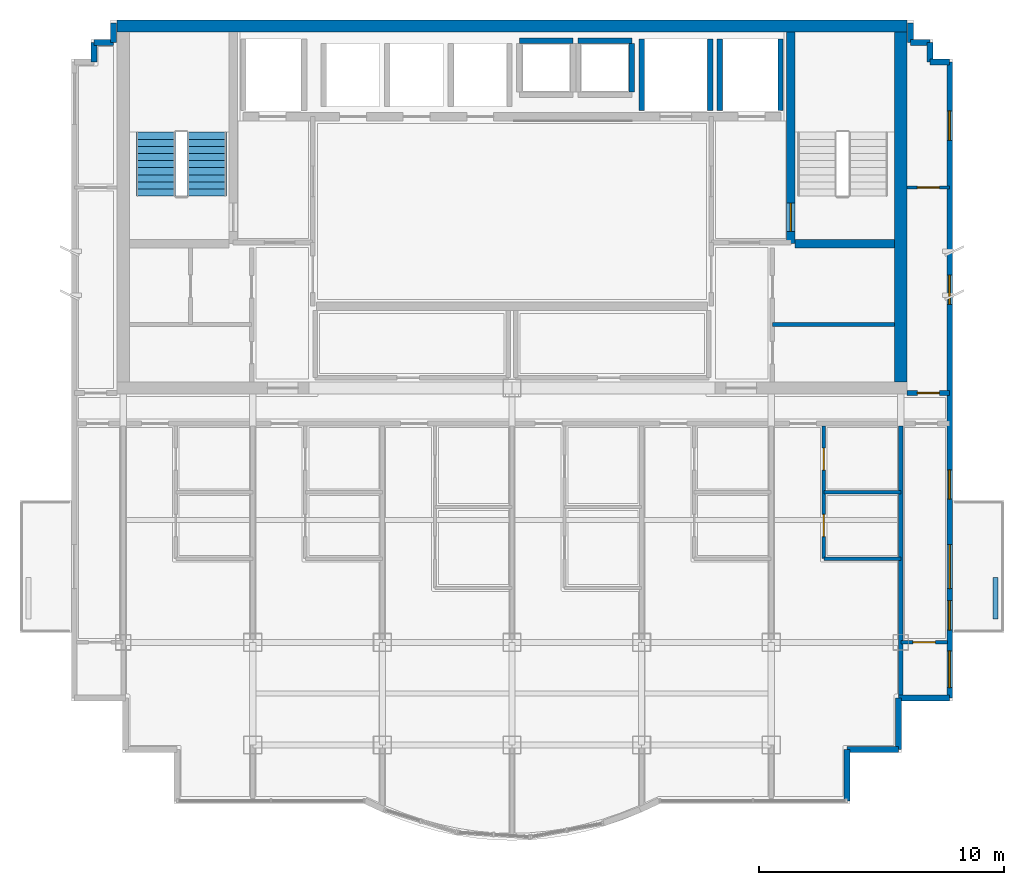
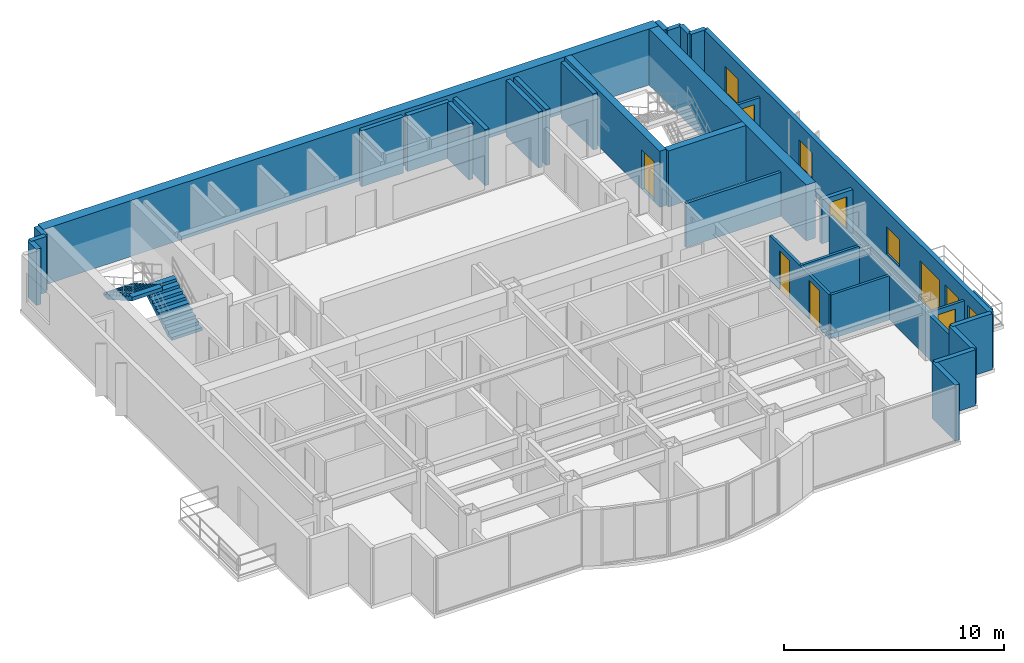
# One storey, part 6 of 9: 32 walls, 7 doors, 5 windows, 2 stair flights, 12 openings, 1 element without a shape of its own.
"""IFC4 building model written with IfcOpenShell, lengths in metres."""

import ifcopenshell
import ifcopenshell.guid

model = None  # the IFC model being written
_history = None  # IfcOwnerHistory: only IFC2X3 demands one
_inside = {}  # id of a spatial element -> (the spatial element, [elements in it])
_under = {}  # id of a project, library or spatial element -> (it, [spatial elements below it])
_declared = {}  # id of a project -> (the project, [libraries it declares])
_typed = {}  # id of a type object -> (the type object, [elements of that type])
_made_of = {}  # id of a material, layer set ... -> (it, [elements and type objects made of it])


def new_model(schema):
    """Start an empty IFC model of exactly this schema.

    Asked for "IFC4X3", IfcOpenShell would pick the latest addendum, in which some entities
    have other attributes; the version numbers below select the first issue.
    IFC2X3 requires an IfcOwnerHistory on every rooted entity: one is made here for all.
    """
    global model, _history
    if schema == "IFC4X3":
        model = ifcopenshell.file(schema_version=(4, 3, 0, 0))
    else:
        model = ifcopenshell.file(schema=schema)
    _inside.clear()
    _under.clear()
    _declared.clear()
    _typed.clear()
    _made_of.clear()
    _history = None
    if model.schema == "IFC2X3":
        org = make("IfcOrganization", Name="unknown")
        user = make(
            "IfcPersonAndOrganization",
            ThePerson=make("IfcPerson", FamilyName="unknown"),
            TheOrganization=org,
        )
        app = make(
            "IfcApplication",
            ApplicationDeveloper=org,
            Version="unknown",
            ApplicationFullName="unknown",
            ApplicationIdentifier="unknown",
        )
        _history = make(
            "IfcOwnerHistory",
            OwningUser=user,
            OwningApplication=app,
            ChangeAction="ADDED",
            CreationDate=0,
        )
    return model


def make(cls, **values):
    """One entity of the class cls with the attributes given. An attribute that is None is left unset."""
    return model.create_entity(
        cls, **{name: value for name, value in values.items() if value is not None}
    )


def rooted(cls, **values):
    """An entity with a GlobalId (a new one), such as an element, a storey or a relation."""
    return make(cls, GlobalId=ifcopenshell.guid.new(), OwnerHistory=_history, **values)


def si_unit(unit_type, name, prefix=None):
    """IfcSIUnit, for example si_unit("LENGTHUNIT", "METRE", prefix="MILLI")."""
    return make("IfcSIUnit", UnitType=unit_type, Prefix=prefix, Name=name)


def assignment(units):
    """IfcUnitAssignment: the units of a project."""
    return None if units is None else make("IfcUnitAssignment", Units=units)


def point(xyz):
    """IfcCartesianPoint."""
    return None if xyz is None else make("IfcCartesianPoint", Coordinates=xyz)


def direction(xyz):
    """IfcDirection."""
    return None if xyz is None else make("IfcDirection", DirectionRatios=xyz)


def frame(location, z_axis=None, x_axis=None):
    """IfcAxis2Placement3D, a coordinate frame: its origin and axes. An axis left out is left unset."""
    return make(
        "IfcAxis2Placement3D",
        Location=point(location),
        Axis=direction(z_axis),
        RefDirection=direction(x_axis),
    )


def frame_2d(location, x_axis=None):
    """IfcAxis2Placement2D, a coordinate frame in the plane: its origin and x axis."""
    return make(
        "IfcAxis2Placement2D", Location=point(location), RefDirection=direction(x_axis)
    )


def origin():
    """The frame at (0, 0, 0) with its axes left unset."""
    return frame((0.0, 0.0, 0.0))


def place(relative_to, where):
    """IfcLocalPlacement: puts the frame where relative to a parent placement (None: the world)."""
    return make(
        "IfcLocalPlacement", PlacementRelTo=relative_to, RelativePlacement=where
    )


def context(
    kind, dimensions, precision=None, world=None, true_north=None, identifier=None
):
    """IfcGeometricRepresentationContext, for example the 3D "Model" context."""
    return make(
        "IfcGeometricRepresentationContext",
        ContextIdentifier=identifier,
        ContextType=kind,
        CoordinateSpaceDimension=dimensions,
        Precision=precision,
        WorldCoordinateSystem=world,
        TrueNorth=true_north,
    )


def subcontext(parent, identifier, kind, view, scale=None):
    """IfcGeometricRepresentationSubContext, for example "Body" below "Model"."""
    return make(
        "IfcGeometricRepresentationSubContext",
        ContextIdentifier=identifier,
        ContextType=kind,
        ParentContext=parent,
        TargetScale=scale,
        TargetView=view,
    )


def project(units=None, contexts=None):
    """IfcProject with its units and contexts."""
    return rooted(
        "IfcProject",
        Name="project",
        RepresentationContexts=contexts,
        UnitsInContext=assignment(units),
    )


def spatial(cls, under=None, at=None, **own):
    """A site, building, storey or space (cls), placed at a placement, below another one or the project."""
    s = rooted(cls, ObjectPlacement=at, **own)
    if under is not None:
        _under.setdefault(under.id(), (under, []))[1].append(s)
    return s


def polyline(points):
    """IfcPolyline through the points."""
    return make("IfcPolyline", Points=[point(p) for p in points])


def profile(cls, at=None, kind="AREA", **sizes):
    """A parametric profile (cls). Its sizes go by their IFC names, for example OverallWidth=200.0."""
    return make(cls, ProfileType=kind, Position=at, **sizes)


def rectangle(**sizes):
    """IfcRectangleProfileDef."""
    return profile("IfcRectangleProfileDef", **sizes)


def outline(outer, holes=None, kind="AREA"):
    """IfcArbitraryClosedProfileDef: a profile drawn as a closed curve; with holes, ...WithVoids."""
    if holes is None:
        return make("IfcArbitraryClosedProfileDef", ProfileType=kind, OuterCurve=outer)
    return make(
        "IfcArbitraryProfileDefWithVoids",
        ProfileType=kind,
        OuterCurve=outer,
        InnerCurves=holes,
    )


def extrude(swept, where, along, depth):
    """IfcExtrudedAreaSolid: the profile swept, set in the frame where, extruded along a direction by depth."""
    return make(
        "IfcExtrudedAreaSolid",
        SweptArea=swept,
        Position=where,
        ExtrudedDirection=direction(along),
        Depth=depth,
    )


def shape(context_of_items, identifier, shape_type, items):
    """IfcShapeRepresentation: the items that make up one representation, for example the "Body"."""
    return make(
        "IfcShapeRepresentation",
        ContextOfItems=context_of_items,
        RepresentationIdentifier=identifier,
        RepresentationType=shape_type,
        Items=items,
    )


def material(Name=None, Category=None):
    """IfcMaterial."""
    return make("IfcMaterial", Name=Name, Category=Category)


def layer(
    of_material, thickness, ventilated=None, Name=None, Category=None, Priority=None
):
    """IfcMaterialLayer: one layer of a wall or slab, of a material (None: an air gap)."""
    return make(
        "IfcMaterialLayer",
        Material=of_material,
        LayerThickness=thickness,
        IsVentilated=ventilated,
        Name=Name,
        Category=Category,
        Priority=Priority,
    )


def layer_set(layers, Name=None):
    """IfcMaterialLayerSet."""
    return make("IfcMaterialLayerSet", MaterialLayers=layers, LayerSetName=Name)


def made_of(thing, what):
    """Note that an element or type object is made of a material, layer set ...; save() writes the relation."""
    if what is not None:
        _made_of.setdefault(what.id(), (what, []))[1].append(thing)
    return thing


def type_object(cls, material=None, **own):
    """A type object (cls), such as IfcWallType, which elements share."""
    return made_of(rooted(cls, **own), material)


def element(
    cls,
    number,
    at=None,
    inside=None,
    cuts=None,
    type_object=None,
    material=None,
    context=None,
    identifier="Body",
    shape_type=None,
    held_by="IfcProductDefinitionShape",
    body=None,
    shapes=None,
    **own,
):
    """One element of the class cls, such as IfcWall. Its Tag is "e" and its number.

    at: its placement. inside: the storey or other place that contains it. cuts: it is an
    opening in that element (IfcRelVoidsElement). A single representation is given by context,
    identifier, shape_type and body (its items); several are given by shapes. held_by: the class
    of the entity that holds the representations. save() writes the other relations.
    """
    e = rooted(cls, Tag="e%d" % number, ObjectPlacement=at, **own)
    if body is not None:
        shapes = [shape(context, identifier, shape_type, body)]
    if shapes is not None:
        e.Representation = make(held_by, Representations=shapes)
    if inside is not None:
        _inside.setdefault(inside.id(), (inside, []))[1].append(e)
    if cuts is not None:
        rooted(
            "IfcRelVoidsElement", RelatingBuildingElement=cuts, RelatedOpeningElement=e
        )
    if type_object is not None:
        _typed.setdefault(type_object.id(), (type_object, []))[1].append(e)
    return made_of(e, material)


def fill(opening, filler):
    """IfcRelFillsElement: the door or window that sits in an opening."""
    return rooted(
        "IfcRelFillsElement",
        RelatingOpeningElement=opening,
        RelatedBuildingElement=filler,
    )


def aggregate(whole, parts):
    """IfcRelAggregates: a whole, such as a stair, and the parts it consists of."""
    return rooted("IfcRelAggregates", RelatingObject=whole, RelatedObjects=parts)


def save(model, path):
    """Write the relations noted so far, then the file.

    IfcRelAggregates (storeys below a building ...), IfcRelContainedInSpatialStructure (elements
    in a storey), IfcRelDefinesByType, IfcRelAssociatesMaterial and IfcRelDeclares: one each for
    every whole, place, type object, material and project.
    """
    for whole, parts in _under.values():
        aggregate(whole, parts)
    for where, things in _inside.values():
        rooted(
            "IfcRelContainedInSpatialStructure",
            RelatedElements=things,
            RelatingStructure=where,
        )
    for kind, things in _typed.values():
        rooted("IfcRelDefinesByType", RelatedObjects=things, RelatingType=kind)
    for what, things in _made_of.values():
        rooted("IfcRelAssociatesMaterial", RelatedObjects=things, RelatingMaterial=what)
    for by, libraries in _declared.values():
        rooted("IfcRelDeclares", RelatingContext=by, RelatedDefinitions=libraries)
    model.write(path)


model = new_model("IFC4")

# Units and contexts
model_context = context("Model", 3, precision=1e-05, world=origin(), true_north=direction((0.0, 1.0)))
body_context = subcontext(model_context, "Body", "Model", "MODEL_VIEW")
ifc_project = project(units=[si_unit("LENGTHUNIT", "METRE"), si_unit("AREAUNIT", "SQUARE_METRE"), si_unit("VOLUMEUNIT", "CUBIC_METRE"), si_unit("PLANEANGLEUNIT", "RADIAN"), si_unit("MASSUNIT", "GRAM", prefix="KILO")], contexts=[model_context])

# Site, building, storey
site_placement = place(None, origin())
site = spatial("IfcSite", under=ifc_project, at=site_placement, CompositionType="ELEMENT")
building_placement = place(site_placement, origin())
building = spatial("IfcBuilding", under=site, at=building_placement, Name="Qianlan Lanfeng Residences", CompositionType="ELEMENT")
storey_placement = place(building_placement, frame((0.0, 0.0, 233.0)))
storey = spatial("IfcBuildingStorey", under=building, at=storey_placement, Name="L64", CompositionType="ELEMENT", Elevation=233.0)

# Wall, opening, door
ifc_material_1 = material(Name="Concrete C49", Category="concrete")
ifc_layer_1 = layer(ifc_material_1, 0.35009765625)
ifc_layer_set_1 = layer_set([ifc_layer_1], Name="Concrete C49")
wall_type_1 = type_object("IfcWallType", Name="CW-RC-350", PredefinedType="SHEAR", material=ifc_layer_set_1)
wall_1_placement = place(storey_placement, frame((37.89990234375, 31.10009765625, 0.0), z_axis=(0.0, 0.0, 1.0), x_axis=(0.0, 1.0, 0.0)))
wall_1 = element("IfcWall", 1, at=wall_1_placement, inside=storey, type_object=wall_type_1, Name="L64 Core Shear Wall ST2W", PredefinedType="SHEAR", context=body_context, shape_type="SweptSolid", body=[
    extrude(rectangle(XDim=8.64990234375, YDim=0.35009765625, at=frame_2d((4.324951171875, 0.0))), origin(), (0.0, 0.0, 1.0), 3.110107421875),
])
opening_1_placement = place(wall_1_placement, frame((0.510009765625, 0.0, 0.0)))
opening_1 = element("IfcOpeningElement", 2, at=opening_1_placement, cuts=wall_1, Name="Opening L64-D08", PredefinedType="OPENING", context=body_context, shape_type="SweptSolid", body=[
    extrude(rectangle(XDim=1.14990234375, YDim=2.199951171875, at=frame_2d((0.574951171875, 1.10009765625))), frame((0.0, 0.18505859375, 0.0), z_axis=(0.0, -1.0, 0.0), x_axis=(1.0, 0.0, 0.0)), (0.0, 0.0, 1.0), 0.3701171875),
])
ifc_material_2 = material(Name="Painted Galvanised Steel Fire Door", Category="steel")
door_type_1 = type_object("IfcDoorType", Name="DT-ST1", OperationType="NOTDEFINED", PredefinedType="DOOR", material=ifc_material_2)
door_1_placement = place(opening_1_placement, origin())
door_1 = element("IfcDoor", 3, at=door_1_placement, inside=storey, type_object=door_type_1, Name="L64 Exit Stair ST-2 Door L64-D08 (DT-ST1)", OperationType="SINGLE_SWING_RIGHT", OverallHeight=2.199951171875, OverallWidth=1.14990234375, PredefinedType="DOOR", context=body_context, shape_type="SweptSolid", body=[
    extrude(rectangle(XDim=1.14990234375, YDim=2.199951171875, at=frame_2d((0.574951171875, 1.10009765625))), frame((0.0, 0.02490234375, 0.0), z_axis=(0.0, -1.0, 0.0), x_axis=(1.0, 0.0, 0.0)), (0.0, 0.0, 1.0), 0.050048828125),
])
fill(opening_1, door_1)

# Walls
wall_2_placement = place(storey_placement, frame((38.074951171875, 31.10009765625, 0.0), z_axis=(0.0, 0.0, 1.0), x_axis=(1.0, 0.0, 0.0)))
element("IfcWall", 4, at=wall_2_placement, inside=storey, type_object=wall_type_1, Name="L64 Core Shear Wall ST2S", PredefinedType="SHEAR", context=body_context, shape_type="SweptSolid", body=[
    extrude(rectangle(XDim=4.074951171875, YDim=0.35009765625, at=frame_2d((2.03759765625, 0.0))), origin(), (0.0, 0.0, 1.0), 3.110107421875),
])
ifc_material_3 = material(Name="Concrete C70", Category="concrete")
ifc_layer_2 = layer(ifc_material_3, 0.5)
ifc_layer_set_2 = layer_set([ifc_layer_2], Name="Concrete C70")
wall_type_2 = type_object("IfcWallType", Name="CW-RC-500", PredefinedType="SHEAR", material=ifc_layer_set_2)
wall_3_placement = place(storey_placement, frame((10.35009765625, 40.0, 0.0), z_axis=(0.0, 0.0, 1.0), x_axis=(1.0, 0.0, 0.0)))
element("IfcWall", 5, at=wall_3_placement, inside=storey, type_object=wall_type_2, Name="L64 Core Shear Wall N", PredefinedType="SHEAR", context=body_context, shape_type="SweptSolid", body=[
    extrude(rectangle(XDim=32.2998046875, YDim=0.5, at=frame_2d((16.14990234375, 0.0))), origin(), (0.0, 0.0, 1.0), 3.110107421875),
])
wall_4_placement = place(storey_placement, frame((42.39990234375, 25.449951171875, 0.0), z_axis=(0.0, 0.0, 1.0), x_axis=(0.0, 1.0, 0.0)))
element("IfcWall", 6, at=wall_4_placement, inside=storey, type_object=wall_type_2, Name="L64 Core Shear Wall E", PredefinedType="SHEAR", context=body_context, shape_type="SweptSolid", body=[
    extrude(rectangle(XDim=14.300048828125, YDim=0.5, at=frame_2d((7.14990234375, 0.0))), origin(), (0.0, 0.0, 1.0), 3.110107421875),
])
ifc_material_4 = material(Name="Concrete C42", Category="concrete")
ifc_layer_3 = layer(ifc_material_4, 0.239990234375)
ifc_layer_set_3 = layer_set([ifc_layer_3], Name="Concrete C42")
wall_type_3 = type_object("IfcWallType", Name="EW-240", PredefinedType="SOLIDWALL", material=ifc_layer_set_3)
wall_5_placement = place(storey_placement, frame((40.199951171875, 8.320068359375, 0.0), z_axis=(0.0, 0.0, 1.0), x_axis=(0.0, 1.0, 0.0)))
element("IfcWall", 7, at=wall_5_placement, inside=storey, type_object=wall_type_3, Name="L64 Exterior Facade Spandrel Wall 8", PredefinedType="SOLIDWALL", context=body_context, shape_type="SweptSolid", body=[
    extrude(rectangle(XDim=2.099853515625, YDim=0.239990234375, at=frame_2d((1.0498046875, 0.0))), origin(), (0.0, 0.0, 1.0), 3.110107421875),
])
for number, where, z_axis, x_axis, name in (
    (8, (40.199951171875, 10.419921875, 0.0), (0.0, 0.0, 1.0), (1.0, 0.0, 0.0), "L64 Exterior Facade Spandrel Wall 9"),
    (9, (42.300048828125, 10.419921875, 0.0), (0.0, 0.0, 1.0), (0.0, 1.0, 0.0), "L64 Exterior Facade Spandrel Wall 10"),
):
    element("IfcWall", number, at=place(storey_placement, frame(where, z_axis=z_axis, x_axis=x_axis)), inside=storey, type_object=wall_type_3, Name=name, PredefinedType="SOLIDWALL", context=body_context, shape_type="SweptSolid", body=[
        extrude(rectangle(XDim=2.10009765625, YDim=0.239990234375, at=frame_2d((1.050048828125, 0.0))), origin(), (0.0, 0.0, 1.0), 3.110107421875),
    ])
wall_6_placement = place(storey_placement, frame((42.300048828125, 12.52001953125, 0.0), z_axis=(0.0, 0.0, 1.0), x_axis=(1.0, 0.0, 0.0)))
element("IfcWall", 10, at=wall_6_placement, inside=storey, type_object=wall_type_3, Name="L64 Exterior Facade Spandrel Wall 11", PredefinedType="SOLIDWALL", context=body_context, shape_type="SweptSolid", body=[
    extrude(rectangle(XDim=2.099853515625, YDim=0.239990234375, at=frame_2d((1.0498046875, 0.0))), origin(), (0.0, 0.0, 1.0), 3.110107421875),
])

# Wall, openings, door, windows
wall_7_placement = place(storey_placement, frame((44.39990234375, 12.52001953125, 0.0), z_axis=(0.0, 0.0, 1.0), x_axis=(0.0, 1.0, 0.0)))
wall_7 = element("IfcWall", 11, at=wall_7_placement, inside=storey, type_object=wall_type_3, Name="L64 Terrace/Balcony Access Exterior Wall 12", PredefinedType="SOLIDWALL", context=body_context, shape_type="SweptSolid", body=[
    extrude(rectangle(XDim=26.010009765625, YDim=0.239990234375, at=frame_2d((13.0048828125, 0.0))), origin(), (0.0, 0.0, 1.0), 3.110107421875),
])
opening_2_placement = place(wall_7_placement, frame((4.47998046875, 0.0, 0.0)))
opening_2 = element("IfcOpeningElement", 12, at=opening_2_placement, cuts=wall_7, Name="Opening L64-D-EB-N", PredefinedType="OPENING", context=body_context, shape_type="SweptSolid", body=[
    extrude(rectangle(XDim=1.800048828125, YDim=2.199951171875, at=frame_2d((0.89990234375, 1.10009765625))), frame((0.0, 0.1298828125, 0.0), z_axis=(0.0, -1.0, 0.0), x_axis=(1.0, 0.0, 0.0)), (0.0, 0.0, 1.0), 0.260009765625),
])
opening_3_placement = place(wall_7_placement, frame((0.426025390625, 0.0, 0.75)))
opening_3 = element("IfcOpeningElement", 13, at=opening_3_placement, cuts=wall_7, Name="Opening W-02", PredefinedType="OPENING", context=body_context, shape_type="SweptSolid", body=[
    extrude(rectangle(XDim=1.5, YDim=1.60009765625, at=frame_2d((0.75, 0.800048828125))), frame((0.0, 0.1298828125, 0.0), z_axis=(0.0, -1.0, 0.0), x_axis=(1.0, 0.0, 0.0)), (0.0, 0.0, 1.0), 0.260009765625),
])
opening_4_placement = place(wall_7_placement, frame((2.783935546875, 0.0, 0.75)))
opening_4 = element("IfcOpeningElement", 14, at=opening_4_placement, cuts=wall_7, Name="Opening W-03", PredefinedType="OPENING", context=body_context, shape_type="SweptSolid", body=[
    extrude(rectangle(XDim=1.199951171875, YDim=1.5, at=frame_2d((0.60009765625, 0.75))), frame((0.0, 0.1298828125, 0.0), z_axis=(0.0, -1.0, 0.0), x_axis=(1.0, 0.0, 0.0)), (0.0, 0.0, 1.0), 0.260009765625),
])
opening_5_placement = place(wall_7_placement, frame((8.135009765625, 0.0, 0.75)))
opening_5 = element("IfcOpeningElement", 15, at=opening_5_placement, cuts=wall_7, Name="Opening W-03", PredefinedType="OPENING", context=body_context, shape_type="SweptSolid", body=[
    extrude(rectangle(XDim=1.199951171875, YDim=1.5, at=frame_2d((0.60009765625, 0.75))), frame((0.0, 0.1298828125, 0.0), z_axis=(0.0, -1.0, 0.0), x_axis=(1.0, 0.0, 0.0)), (0.0, 0.0, 1.0), 0.260009765625),
])
opening_6_placement = place(wall_7_placement, frame((16.095947265625, 0.0, 0.75)))
opening_6 = element("IfcOpeningElement", 16, at=opening_6_placement, cuts=wall_7, Name="Opening W-03", PredefinedType="OPENING", context=body_context, shape_type="SweptSolid", body=[
    extrude(rectangle(XDim=1.199951171875, YDim=1.5, at=frame_2d((0.60009765625, 0.75))), frame((0.0, 0.1298828125, 0.0), z_axis=(0.0, -1.0, 0.0), x_axis=(1.0, 0.0, 0.0)), (0.0, 0.0, 1.0), 0.260009765625),
])
opening_7_placement = place(wall_7_placement, frame((22.80908203125, 0.0, 0.75)))
opening_7 = element("IfcOpeningElement", 17, at=opening_7_placement, cuts=wall_7, Name="Opening W-03", PredefinedType="OPENING", context=body_context, shape_type="SweptSolid", body=[
    extrude(rectangle(XDim=1.199951171875, YDim=1.5, at=frame_2d((0.60009765625, 0.75))), frame((0.0, 0.1298828125, 0.0), z_axis=(0.0, -1.0, 0.0), x_axis=(1.0, 0.0, 0.0)), (0.0, 0.0, 1.0), 0.260009765625),
])
ifc_material_5 = material(Name="Anodised Bronze Aluminium Framed Glass", Category="aluminium")
door_type_2 = type_object("IfcDoorType", Name="DT-BAL1", OperationType="NOTDEFINED", PredefinedType="DOOR", material=ifc_material_5)
door_2_placement = place(opening_2_placement, frame((1.800048828125, 0.0, 0.0), z_axis=(0.0, 0.0, 1.0), x_axis=(-1.0, 0.0, 0.0)))
door_2 = element("IfcDoor", 18, at=door_2_placement, inside=storey, type_object=door_type_2, Name="L64 Exterior Access Door EB-N", OperationType="DOUBLE_DOOR_SLIDING", OverallHeight=2.199951171875, OverallWidth=1.800048828125, PredefinedType="DOOR", context=body_context, shape_type="SweptSolid", body=[
    extrude(rectangle(XDim=1.800048828125, YDim=2.199951171875, at=frame_2d((0.89990234375, 1.10009765625))), frame((0.0, 0.02490234375, 0.0), z_axis=(0.0, -1.0, 0.0), x_axis=(1.0, 0.0, 0.0)), (0.0, 0.0, 1.0), 0.050048828125),
])
fill(opening_2, door_2)
ifc_material_6 = material(Name="Anodised Bronze Aluminium Framed Double Glazing", Category="aluminium")
window_type_1 = type_object("IfcWindowType", Name="W-02", PartitioningType="SINGLE_PANEL", PredefinedType="WINDOW", material=ifc_material_6)
window_1_placement = place(opening_3_placement, origin())
window_1 = element("IfcWindow", 19, at=window_1_placement, inside=storey, type_object=window_type_1, Name="L64 Exterior Window W-06", OverallHeight=1.60009765625, OverallWidth=1.5, PartitioningType="SINGLE_PANEL", PredefinedType="WINDOW", context=body_context, shape_type="SweptSolid", body=[
    extrude(rectangle(XDim=1.5, YDim=1.60009765625, at=frame_2d((0.75, 0.800048828125))), frame((0.0, 0.030029296875, 0.0), z_axis=(0.0, -1.0, 0.0), x_axis=(1.0, 0.0, 0.0)), (0.0, 0.0, 1.0), 0.06005859375),
])
fill(opening_3, window_1)
window_type_2 = type_object("IfcWindowType", Name="W-03", PartitioningType="SINGLE_PANEL", PredefinedType="WINDOW", material=ifc_material_6)
window_2_placement = place(opening_4_placement, origin())
window_2 = element("IfcWindow", 20, at=window_2_placement, inside=storey, type_object=window_type_2, Name="L64 Facade Bay Window W-03", OverallHeight=1.5, OverallWidth=1.199951171875, PartitioningType="SINGLE_PANEL", PredefinedType="WINDOW", context=body_context, shape_type="SweptSolid", body=[
    extrude(rectangle(XDim=1.199951171875, YDim=1.5, at=frame_2d((0.60009765625, 0.75))), frame((0.0, 0.030029296875, 0.0), z_axis=(0.0, -1.0, 0.0), x_axis=(1.0, 0.0, 0.0)), (0.0, 0.0, 1.0), 0.06005859375),
])
fill(opening_4, window_2)
window_3_placement = place(opening_5_placement, origin())
window_3 = element("IfcWindow", 21, at=window_3_placement, inside=storey, type_object=window_type_2, Name="L64 Facade Bay Window W-03", OverallHeight=1.5, OverallWidth=1.199951171875, PartitioningType="SINGLE_PANEL", PredefinedType="WINDOW", context=body_context, shape_type="SweptSolid", body=[
    extrude(rectangle(XDim=1.199951171875, YDim=1.5, at=frame_2d((0.60009765625, 0.75))), frame((0.0, 0.030029296875, 0.0), z_axis=(0.0, -1.0, 0.0), x_axis=(1.0, 0.0, 0.0)), (0.0, 0.0, 1.0), 0.06005859375),
])
fill(opening_5, window_3)
window_4_placement = place(opening_6_placement, origin())
window_4 = element("IfcWindow", 22, at=window_4_placement, inside=storey, type_object=window_type_2, Name="L64 Facade Bay Window W-03", OverallHeight=1.5, OverallWidth=1.199951171875, PartitioningType="SINGLE_PANEL", PredefinedType="WINDOW", context=body_context, shape_type="SweptSolid", body=[
    extrude(rectangle(XDim=1.199951171875, YDim=1.5, at=frame_2d((0.60009765625, 0.75))), frame((0.0, 0.030029296875, 0.0), z_axis=(0.0, -1.0, 0.0), x_axis=(1.0, 0.0, 0.0)), (0.0, 0.0, 1.0), 0.06005859375),
])
fill(opening_6, window_4)
window_5_placement = place(opening_7_placement, origin())
window_5 = element("IfcWindow", 23, at=window_5_placement, inside=storey, type_object=window_type_2, Name="L64 Facade Bay Window W-03", OverallHeight=1.5, OverallWidth=1.199951171875, PartitioningType="SINGLE_PANEL", PredefinedType="WINDOW", context=body_context, shape_type="SweptSolid", body=[
    extrude(rectangle(XDim=1.199951171875, YDim=1.5, at=frame_2d((0.60009765625, 0.75))), frame((0.0, 0.030029296875, 0.0), z_axis=(0.0, -1.0, 0.0), x_axis=(1.0, 0.0, 0.0)), (0.0, 0.0, 1.0), 0.06005859375),
])
fill(opening_7, window_5)

# Walls
wall_8_placement = place(storey_placement, frame((44.39990234375, 38.530029296875, 0.0), z_axis=(0.0, 0.0, 1.0), x_axis=(-1.0, 0.0, 0.0)))
element("IfcWall", 24, at=wall_8_placement, inside=storey, type_object=wall_type_3, Name="L64 Exterior Facade Spandrel Wall 13", PredefinedType="SOLIDWALL", context=body_context, shape_type="SweptSolid", body=[
    extrude(rectangle(XDim=0.7998046875, YDim=0.239990234375, at=frame_2d((0.39990234375, 0.0))), origin(), (0.0, 0.0, 1.0), 3.110107421875),
])
for number, where, z_axis, x_axis, name in (
    (25, (43.60009765625, 38.530029296875, 0.0), (0.0, 0.0, 1.0), (0.0, 1.0, 0.0), "L64 Exterior Facade Spandrel Wall 14"),
    (26, (43.60009765625, 39.330078125, 0.0), (0.0, 0.0, 1.0), (-1.0, 0.0, 0.0), "L64 Exterior Facade Spandrel Wall 15"),
):
    element("IfcWall", number, at=place(storey_placement, frame(where, z_axis=z_axis, x_axis=x_axis)), inside=storey, type_object=wall_type_3, Name=name, PredefinedType="SOLIDWALL", context=body_context, shape_type="SweptSolid", body=[
        extrude(rectangle(XDim=0.800048828125, YDim=0.239990234375, at=frame_2d((0.39990234375, 0.0))), origin(), (0.0, 0.0, 1.0), 3.110107421875),
    ])
for number, where, z_axis, x_axis, name in (
    (27, (42.800048828125, 39.330078125, 0.0), (0.0, 0.0, 1.0), (0.0, 1.0, 0.0), "L64 Exterior Facade Spandrel Wall 16"),
    (28, (10.199951171875, 40.1298828125, 0.0), (0.0, 0.0, 1.0), (0.0, -1.0, 0.0), "L64 Exterior Facade Spandrel Wall 17"),
):
    element("IfcWall", number, at=place(storey_placement, frame(where, z_axis=z_axis, x_axis=x_axis)), inside=storey, type_object=wall_type_3, Name=name, PredefinedType="SOLIDWALL", context=body_context, shape_type="SweptSolid", body=[
        extrude(rectangle(XDim=0.7998046875, YDim=0.239990234375, at=frame_2d((0.39990234375, 0.0))), origin(), (0.0, 0.0, 1.0), 3.110107421875),
    ])
for number, where, z_axis, x_axis, name in (
    (29, (10.199951171875, 39.330078125, 0.0), (0.0, 0.0, 1.0), (-1.0, 0.0, 0.0), "L64 Exterior Facade Spandrel Wall 18"),
    (30, (9.39990234375, 39.330078125, 0.0), (0.0, 0.0, 1.0), (0.0, -1.0, 0.0), "L64 Exterior Facade Spandrel Wall 19"),
):
    element("IfcWall", number, at=place(storey_placement, frame(where, z_axis=z_axis, x_axis=x_axis)), inside=storey, type_object=wall_type_3, Name=name, PredefinedType="SOLIDWALL", context=body_context, shape_type="SweptSolid", body=[
        extrude(rectangle(XDim=0.800048828125, YDim=0.239990234375, at=frame_2d((0.39990234375, 0.0))), origin(), (0.0, 0.0, 1.0), 3.110107421875),
    ])
ifc_layer_4 = layer(ifc_material_4, 0.199951171875)
ifc_layer_set_4 = layer_set([ifc_layer_4], Name="Concrete C42")
wall_type_4 = type_object("IfcWallType", Name="PL-TREE-200", PredefinedType="PARAPET", material=ifc_layer_set_4)
wall_9_placement = place(storey_placement, frame((46.27001953125, 15.75, 0.0), z_axis=(0.0, 0.0, 1.0), x_axis=(0.0, 1.0, 0.0)))
element("IfcWall", 31, at=wall_9_placement, inside=storey, type_object=wall_type_4, Name="L64 East Tree Planter Curb EB-N", PredefinedType="PARAPET", context=body_context, shape_type="SweptSolid", body=[
    extrude(rectangle(XDim=1.699951171875, YDim=0.199951171875, at=frame_2d((0.85009765625, 0.0))), origin(), (0.0, 0.0, 1.0), 0.64990234375),
])

# Wall, openings, doors
ifc_material_7 = material(Name="Moisture-Resistant Gypsum Partition 135 mm")
ifc_layer_5 = layer(ifc_material_7, 0.135009765625)
ifc_layer_set_5 = layer_set([ifc_layer_5], Name="Moisture-Resistant Gypsum Partition 135 mm")
wall_type_5 = type_object("IfcWallType", Name="PW-135", PredefinedType="PARTITIONING", material=ifc_layer_set_5)
wall_10_placement = place(storey_placement, frame((39.25, 18.219970703125, 0.0), z_axis=(0.0, 0.0, 1.0), x_axis=(0.0, 1.0, 0.0)))
wall_10 = element("IfcWall", 32, at=wall_10_placement, inside=storey, type_object=wall_type_5, Name="L64 U06 Wet Stack Spine", PredefinedType="PARTITIONING", context=body_context, shape_type="SweptSolid", body=[
    extrude(rectangle(XDim=5.429931640625, YDim=0.135009765625, at=frame_2d((2.71484375, 0.0))), origin(), (0.0, 0.0, 1.0), 2.449951171875),
])
opening_8_placement = place(wall_10_placement, frame((0.89794921875, 0.0, 0.0)))
opening_8 = element("IfcOpeningElement", 33, at=opening_8_placement, cuts=wall_10, Name="Opening L64-D34", PredefinedType="OPENING", context=body_context, shape_type="SweptSolid", body=[
    extrude(rectangle(XDim=0.919921875, YDim=2.14990234375, at=frame_2d((0.4599609375, 1.074951171875))), frame((0.0, 0.07763671875, 0.0), z_axis=(0.0, -1.0, 0.0), x_axis=(1.0, 0.0, 0.0)), (0.0, 0.0, 1.0), 0.155029296875),
])
opening_9_placement = place(wall_10_placement, frame((3.6220703125, 0.0, 0.0)))
opening_9 = element("IfcOpeningElement", 34, at=opening_9_placement, cuts=wall_10, Name="Opening L64-D35", PredefinedType="OPENING", context=body_context, shape_type="SweptSolid", body=[
    extrude(rectangle(XDim=0.89990234375, YDim=2.14990234375, at=frame_2d((0.449951171875, 1.074951171875))), frame((0.0, 0.07763671875, 0.0), z_axis=(0.0, -1.0, 0.0), x_axis=(1.0, 0.0, 0.0)), (0.0, 0.0, 1.0), 0.155029296875),
])
ifc_material_8 = material(Name="Glazed Timber Kitchen/Study Door", Category="wood")
door_type_3 = type_object("IfcDoorType", Name="DT-INT", OperationType="NOTDEFINED", PredefinedType="DOOR", material=ifc_material_8)
door_3_placement = place(opening_8_placement, origin())
door_3 = element("IfcDoor", 35, at=door_3_placement, inside=storey, type_object=door_type_3, Name="L64 U06 Kitchen Door L64-D34 (DT-INT)", OperationType="SINGLE_SWING_RIGHT", OverallHeight=2.14990234375, OverallWidth=0.919921875, PredefinedType="DOOR", context=body_context, shape_type="SweptSolid", body=[
    extrude(rectangle(XDim=0.919921875, YDim=2.14990234375, at=frame_2d((0.4599609375, 1.074951171875))), frame((0.0, 0.02490234375, 0.0), z_axis=(0.0, -1.0, 0.0), x_axis=(1.0, 0.0, 0.0)), (0.0, 0.0, 1.0), 0.050048828125),
])
fill(opening_8, door_3)
ifc_material_9 = material(Name="Moisture-Resistant Timber Leaf", Category="wood")
door_type_4 = type_object("IfcDoorType", Name="DT-WC", OperationType="NOTDEFINED", PredefinedType="DOOR", material=ifc_material_9)
door_4_placement = place(opening_9_placement, origin())
door_4 = element("IfcDoor", 36, at=door_4_placement, inside=storey, type_object=door_type_4, Name="L64 U06 Bathroom Door L64-D35 (DT-WC)", OperationType="SINGLE_SWING_LEFT", OverallHeight=2.14990234375, OverallWidth=0.89990234375, PredefinedType="DOOR", context=body_context, shape_type="SweptSolid", body=[
    extrude(rectangle(XDim=0.89990234375, YDim=2.14990234375, at=frame_2d((0.449951171875, 1.074951171875))), frame((0.0, 0.02490234375, 0.0), z_axis=(0.0, -1.0, 0.0), x_axis=(1.0, 0.0, 0.0)), (0.0, 0.0, 1.0), 0.050048828125),
])
fill(opening_9, door_4)

# Walls
for number, where, z_axis, x_axis, name in (
    (37, (39.25, 18.219970703125, 0.0), (0.0, 0.0, 1.0), (1.0, 0.0, 0.0), "L64 U06 Kitchen South Wall"),
    (38, (39.25, 20.93505859375, 0.0), (0.0, 0.0, 1.0), (1.0, 0.0, 0.0), "L64 U06 Bathroom South Wall"),
):
    element("IfcWall", number, at=place(storey_placement, frame(where, z_axis=z_axis, x_axis=x_axis)), inside=storey, type_object=wall_type_5, Name=name, PredefinedType="PARTITIONING", context=body_context, shape_type="SweptSolid", body=[
        extrude(rectangle(XDim=3.14990234375, YDim=0.135009765625, at=frame_2d((1.574951171875, 0.0))), origin(), (0.0, 0.0, 1.0), 2.449951171875),
    ])

# Wall, opening, door
wall_11_placement = place(storey_placement, frame((42.39990234375, 14.800048828125, 0.0), z_axis=(0.0, 0.0, 1.0), x_axis=(1.0, 0.0, 0.0)))
wall_11 = element("IfcWall", 39, at=wall_11_placement, inside=storey, type_object=wall_type_5, Name="L64 SEP Mid Partition", PredefinedType="PARTITIONING", context=body_context, shape_type="SweptSolid", body=[
    extrude(rectangle(XDim=1.900146484375, YDim=0.135009765625, at=frame_2d((0.9501953125, 0.0))), origin(), (0.0, 0.0, 1.0), 2.449951171875),
])
opening_10_placement = place(wall_11_placement, frame((0.489990234375, 0.0, 0.0)))
opening_10 = element("IfcOpeningElement", 40, at=opening_10_placement, cuts=wall_11, Name="Opening L64-D38", PredefinedType="OPENING", context=body_context, shape_type="SweptSolid", body=[
    extrude(rectangle(XDim=0.919921875, YDim=2.14990234375, at=frame_2d((0.4599609375, 1.074951171875))), frame((0.0, 0.07763671875, 0.0), z_axis=(0.0, -1.0, 0.0), x_axis=(1.0, 0.0, 0.0)), (0.0, 0.0, 1.0), 0.155029296875),
])
door_5_placement = place(opening_10_placement, origin())
door_5 = element("IfcDoor", 41, at=door_5_placement, inside=storey, type_object=door_type_3, Name="L64 SEP Inner Door L64-D38 (DT-INT)", OperationType="SINGLE_SWING_RIGHT", OverallHeight=2.14990234375, OverallWidth=0.919921875, PredefinedType="DOOR", context=body_context, shape_type="SweptSolid", body=[
    extrude(rectangle(XDim=0.919921875, YDim=2.14990234375, at=frame_2d((0.4599609375, 1.074951171875))), frame((0.0, 0.02490234375, 0.0), z_axis=(0.0, -1.0, 0.0), x_axis=(1.0, 0.0, 0.0)), (0.0, 0.0, 1.0), 0.050048828125),
])
fill(opening_10, door_5)

wall_12_placement = place(storey_placement, frame((42.64990234375, 33.39990234375, 0.0), z_axis=(0.0, 0.0, 1.0), x_axis=(1.0, 0.0, 0.0)))
wall_12 = element("IfcWall", 42, at=wall_12_placement, inside=storey, type_object=wall_type_5, Name="L64 EW North Wing Wall", PredefinedType="PARTITIONING", context=body_context, shape_type="SweptSolid", body=[
    extrude(rectangle(XDim=1.75, YDim=0.135009765625, at=frame_2d((0.875, 0.0))), origin(), (0.0, 0.0, 1.0), 2.449951171875),
])
opening_11_placement = place(wall_12_placement, frame((0.425048828125, 0.0, 0.0)))
opening_11 = element("IfcOpeningElement", 43, at=opening_11_placement, cuts=wall_12, Name="Opening L64-D42", PredefinedType="OPENING", context=body_context, shape_type="SweptSolid", body=[
    extrude(rectangle(XDim=0.89990234375, YDim=2.14990234375, at=frame_2d((0.449951171875, 1.074951171875))), frame((0.0, 0.07763671875, 0.0), z_axis=(0.0, -1.0, 0.0), x_axis=(1.0, 0.0, 0.0)), (0.0, 0.0, 1.0), 0.155029296875),
])
door_6_placement = place(opening_11_placement, origin())
door_6 = element("IfcDoor", 44, at=door_6_placement, inside=storey, type_object=door_type_4, Name="L64 EW Inner Salon Door L64-D42 (DT-WC)", OperationType="SINGLE_SWING_RIGHT", OverallHeight=2.14990234375, OverallWidth=0.89990234375, PredefinedType="DOOR", context=body_context, shape_type="SweptSolid", body=[
    extrude(rectangle(XDim=0.89990234375, YDim=2.14990234375, at=frame_2d((0.449951171875, 1.074951171875))), frame((0.0, 0.02490234375, 0.0), z_axis=(0.0, -1.0, 0.0), x_axis=(1.0, 0.0, 0.0)), (0.0, 0.0, 1.0), 0.050048828125),
])
fill(opening_11, door_6)

# Walls
ifc_material_10 = material(Name="Acoustic Drywall Partition 150 mm")
ifc_layer_6 = layer(ifc_material_10, 0.14990234375)
ifc_layer_set_6 = layer_set([ifc_layer_6], Name="Acoustic Drywall Partition 150 mm")
wall_type_6 = type_object("IfcWallType", Name="PW-150", PredefinedType="PARTITIONING", material=ifc_layer_set_6)
wall_13_placement = place(storey_placement, frame((37.14990234375, 27.800048828125, 0.0), z_axis=(0.0, 0.0, 1.0), x_axis=(1.0, 0.0, 0.0)))
element("IfcWall", 45, at=wall_13_placement, inside=storey, type_object=wall_type_6, Name="L64 Core East H4", PredefinedType="PARTITIONING", context=body_context, shape_type="SweptSolid", body=[
    extrude(rectangle(XDim=5.0, YDim=0.14990234375, at=frame_2d((2.5, 0.0))), origin(), (0.0, 0.0, 1.0), 2.449951171875),
])
ifc_material_11 = material(Name="Double-Layer Acoustic Gypsum Stud Wall 180 mm")
ifc_layer_7 = layer(ifc_material_11, 0.179931640625)
ifc_layer_set_7 = layer_set([ifc_layer_7], Name="Double-Layer Acoustic Gypsum Stud Wall 180 mm")
wall_type_7 = type_object("IfcWallType", Name="PW-180", PredefinedType="PARTITIONING", material=ifc_layer_set_7)
wall_14_placement = place(storey_placement, frame((42.39990234375, 12.6201171875, 0.0), z_axis=(0.0, 0.0, 1.0), x_axis=(0.0, 1.0, 0.0)))
element("IfcWall", 46, at=wall_14_placement, inside=storey, type_object=wall_type_7, Name="L64 Wing Boundary Party Wall E0", PredefinedType="PARTITIONING", context=body_context, shape_type="SweptSolid", body=[
    extrude(rectangle(XDim=11.02978515625, YDim=0.179931640625, at=frame_2d((5.514892578125, 0.0))), origin(), (0.0, 0.0, 1.0), 2.449951171875),
])

# Wall, opening, door
ifc_material_12 = material(Name="Autoclaved Aerated Concrete Blockwork 200 mm", Category="masonry")
ifc_layer_8 = layer(ifc_material_12, 0.199951171875)
ifc_layer_set_8 = layer_set([ifc_layer_8], Name="Autoclaved Aerated Concrete Blockwork 200 mm")
wall_type_8 = type_object("IfcWallType", Name="PW-200", PredefinedType="PARTITIONING", material=ifc_layer_set_8)
wall_15_placement = place(storey_placement, frame((42.64990234375, 25.0, 0.0), z_axis=(0.0, 0.0, 1.0), x_axis=(1.0, 0.0, 0.0)))
wall_15 = element("IfcWall", 47, at=wall_15_placement, inside=storey, type_object=wall_type_8, Name="L64 Corridor NE Wall", PredefinedType="PARTITIONING", context=body_context, shape_type="SweptSolid", body=[
    extrude(rectangle(XDim=1.75, YDim=0.199951171875, at=frame_2d((0.875, 0.0))), origin(), (0.0, 0.0, 1.0), 2.449951171875),
])
opening_12_placement = place(wall_15_placement, frame((0.425048828125, 0.0, 0.0)))
opening_12 = element("IfcOpeningElement", 48, at=opening_12_placement, cuts=wall_15, Name="Opening L64-D43", PredefinedType="OPENING", context=body_context, shape_type="SweptSolid", body=[
    extrude(rectangle(XDim=0.89990234375, YDim=2.14990234375, at=frame_2d((0.449951171875, 1.074951171875))), frame((0.0, 0.10986328125, 0.0), z_axis=(0.0, -1.0, 0.0), x_axis=(1.0, 0.0, 0.0)), (0.0, 0.0, 1.0), 0.219970703125),
])
door_7_placement = place(opening_12_placement, frame((0.89990234375, 0.0, 0.0), z_axis=(0.0, 0.0, 1.0), x_axis=(-1.0, 0.0, 0.0)))
door_7 = element("IfcDoor", 49, at=door_7_placement, inside=storey, type_object=door_type_4, Name="L64 EW Amenity Salon Door L64-D43 (DT-WC)", OperationType="SINGLE_SWING_LEFT", OverallHeight=2.14990234375, OverallWidth=0.89990234375, PredefinedType="DOOR", context=body_context, shape_type="SweptSolid", body=[
    extrude(rectangle(XDim=0.89990234375, YDim=2.14990234375, at=frame_2d((0.449951171875, 1.074951171875))), frame((0.0, 0.02490234375, 0.0), z_axis=(0.0, -1.0, 0.0), x_axis=(1.0, 0.0, 0.0)), (0.0, 0.0, 1.0), 0.050048828125),
])
fill(opening_12, door_7)

# Walls
ifc_layer_9 = layer(ifc_material_1, 0.219970703125)
ifc_layer_set_9 = layer_set([ifc_layer_9], Name="Concrete C49")
wall_type_9 = type_object("IfcWallType", Name="SHW-220", PredefinedType="SOLIDWALL", material=ifc_layer_set_9)
for number, where, z_axis, x_axis, name in (
    (50, (35.0, 36.550048828125, 0.0), (0.0, 0.0, 1.0), (0.0, 1.0, 0.0), "L64 Lift FFL-2 Shaft Wall W"),
    (51, (37.47998046875, 36.550048828125, 0.0), (0.0, 0.0, 1.0), (0.0, 1.0, 0.0), "L64 Lift FFL-2 Shaft Wall E"),
    (52, (31.800048828125, 36.550048828125, 0.0), (0.0, 0.0, 1.0), (0.0, 1.0, 0.0), "L64 Lift SVL-1 Shaft Wall W"),
    (53, (34.60009765625, 36.550048828125, 0.0), (0.0, 0.0, 1.0), (0.0, 1.0, 0.0), "L64 Lift SVL-1 Shaft Wall E"),
):
    element("IfcWall", number, at=place(storey_placement, frame(where, z_axis=z_axis, x_axis=x_axis)), inside=storey, type_object=wall_type_9, Name=name, PredefinedType="SOLIDWALL", context=body_context, shape_type="SweptSolid", body=[
        extrude(rectangle(XDim=2.929931640625, YDim=0.219970703125, at=frame_2d((1.46484375, 0.0))), origin(), (0.0, 0.0, 1.0), 3.110107421875),
    ])
wall_16_placement = place(storey_placement, frame((26.800048828125, 39.39990234375, 0.0), z_axis=(0.0, 0.0, 1.0), x_axis=(1.0, 0.0, 0.0)))
element("IfcWall", 54, at=wall_16_placement, inside=storey, type_object=wall_type_9, Name="L64 MEP Riser MEP-R1 Shaft Wall N", PredefinedType="SOLIDWALL", context=body_context, shape_type="SweptSolid", body=[
    extrude(rectangle(XDim=2.199951171875, YDim=0.219970703125, at=frame_2d((1.10009765625, 0.0))), origin(), (0.0, 0.0, 1.0), 3.110107421875),
])
wall_17_placement = place(storey_placement, frame((31.39990234375, 37.31005859375, 0.0), z_axis=(0.0, 0.0, 1.0), x_axis=(0.0, 1.0, 0.0)))
element("IfcWall", 55, at=wall_17_placement, inside=storey, type_object=wall_type_9, Name="L64 MEP Riser MEP-R2 Shaft Wall E", PredefinedType="SOLIDWALL", context=body_context, shape_type="SweptSolid", body=[
    extrude(rectangle(XDim=1.97998046875, YDim=0.219970703125, at=frame_2d((0.989990234375, 0.0))), origin(), (0.0, 0.0, 1.0), 3.110107421875),
])
wall_18_placement = place(storey_placement, frame((29.199951171875, 39.39990234375, 0.0), z_axis=(0.0, 0.0, 1.0), x_axis=(1.0, 0.0, 0.0)))
element("IfcWall", 56, at=wall_18_placement, inside=storey, type_object=wall_type_9, Name="L64 MEP Riser MEP-R2 Shaft Wall N", PredefinedType="SOLIDWALL", context=body_context, shape_type="SweptSolid", body=[
    extrude(rectangle(XDim=2.199951171875, YDim=0.219970703125, at=frame_2d((1.10009765625, 0.0))), origin(), (0.0, 0.0, 1.0), 3.110107421875),
])

# Stair, stair flights
stair_type = type_object("IfcStairType", Name="STR-MAIN", PredefinedType="HALF_TURN_STAIR", material=ifc_material_4)
stair_placement = place(storey_placement, origin())
stair = element("IfcStair", 57, at=stair_placement, inside=storey, type_object=stair_type, Name="L64 Exit Stair ST-1", PredefinedType="HALF_TURN_STAIR")
stair_flight_type = type_object("IfcStairFlightType", Name="FLT-1720", PredefinedType="STRAIGHT", material=ifc_material_4)
stair_flight_1_placement = place(storey_placement, frame((14.02001953125, 33.050048828125, 0.0), z_axis=(0.0, 0.0, 1.0), x_axis=(0.0, 1.0, 0.0)))
stair_flight_1 = element("IfcStairFlight", 58, at=stair_flight_1_placement, type_object=stair_flight_type, Name="ST-1 flight 1", NumberOfRisers=10, NumberOfTreads=9, PredefinedType="STRAIGHT", RiserHeight=0.165, TreadLength=0.29, context=body_context, shape_type="SweptSolid", body=[
    extrude(outline(polyline([(0.0, 0.0), (0.0, 0.1650390625), (0.2900390625, 0.1650390625), (0.2900390625, 0.330078125), (0.580078125, 0.330078125), (0.580078125, 0.4951171875), (0.8701171875, 0.4951171875), (0.8701171875, 0.659912109375), (1.159912109375, 0.659912109375), (1.159912109375, 0.824951171875), (1.449951171875, 0.824951171875), (1.449951171875, 0.989990234375), (1.739990234375, 0.989990234375), (1.739990234375, 1.155029296875), (2.030029296875, 1.155029296875), (2.030029296875, 1.320068359375), (2.320068359375, 1.320068359375), (2.320068359375, 1.485107421875), (2.610107421875, 1.485107421875), (2.610107421875, 1.64990234375), (2.610107421875, 1.278076171875), (0.36376953125, 0.0), (0.0, 0.0)])), frame((0.0, 0.800048828125, 0.0), z_axis=(0.0, -1.0, 0.0), x_axis=(1.0, 0.0, 0.0)), (0.0, 0.0, 1.0), 1.60009765625),
])
stair_flight_2_placement = place(storey_placement, frame((11.93994140625, 35.659912109375, 1.64990234375), z_axis=(0.0, 0.0, 1.0), x_axis=(0.0, -1.0, 0.0)))
stair_flight_2 = element("IfcStairFlight", 59, at=stair_flight_2_placement, type_object=stair_flight_type, Name="ST-1 flight 2", NumberOfRisers=10, NumberOfTreads=9, PredefinedType="STRAIGHT", RiserHeight=0.165, TreadLength=0.29, context=body_context, shape_type="SweptSolid", body=[
    extrude(outline(polyline([(0.0, 0.0), (0.0, 0.1650390625), (0.2900390625, 0.1650390625), (0.2900390625, 0.330078125), (0.580078125, 0.330078125), (0.580078125, 0.4951171875), (0.8701171875, 0.4951171875), (0.8701171875, 0.659912109375), (1.159912109375, 0.659912109375), (1.159912109375, 0.824951171875), (1.449951171875, 0.824951171875), (1.449951171875, 0.989990234375), (1.739990234375, 0.989990234375), (1.739990234375, 1.155029296875), (2.030029296875, 1.155029296875), (2.030029296875, 1.320068359375), (2.320068359375, 1.320068359375), (2.320068359375, 1.485107421875), (2.610107421875, 1.485107421875), (2.610107421875, 1.64990234375), (2.610107421875, 1.278076171875), (0.36376953125, 0.0), (0.0, 0.0)])), frame((0.0, 0.800048828125, 0.0), z_axis=(0.0, -1.0, 0.0), x_axis=(1.0, 0.0, 0.0)), (0.0, 0.0, 1.0), 1.60009765625),
])
aggregate(stair, [stair_flight_1, stair_flight_2])

save(model, "model.ifc")
